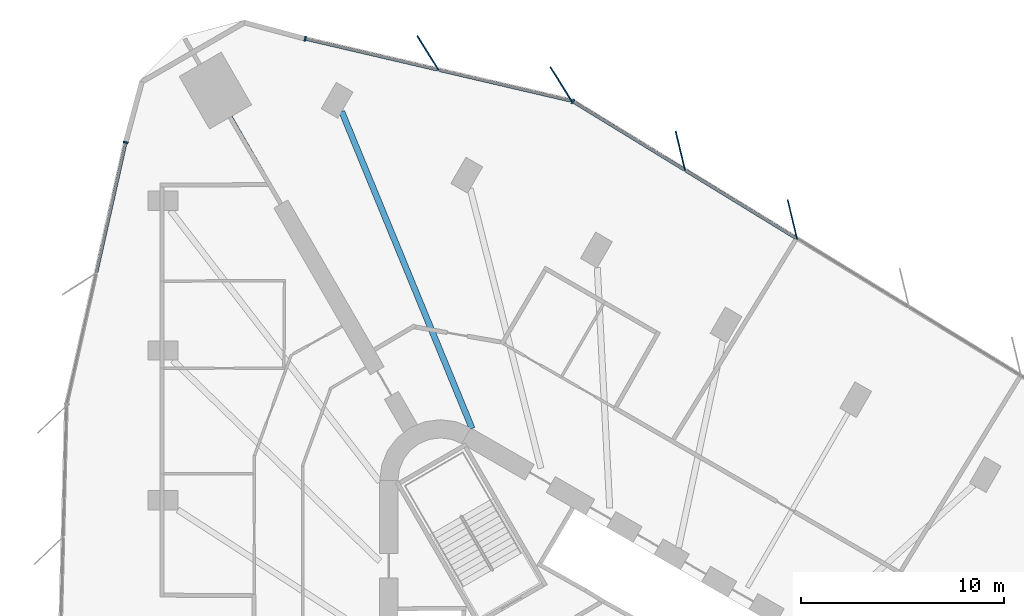
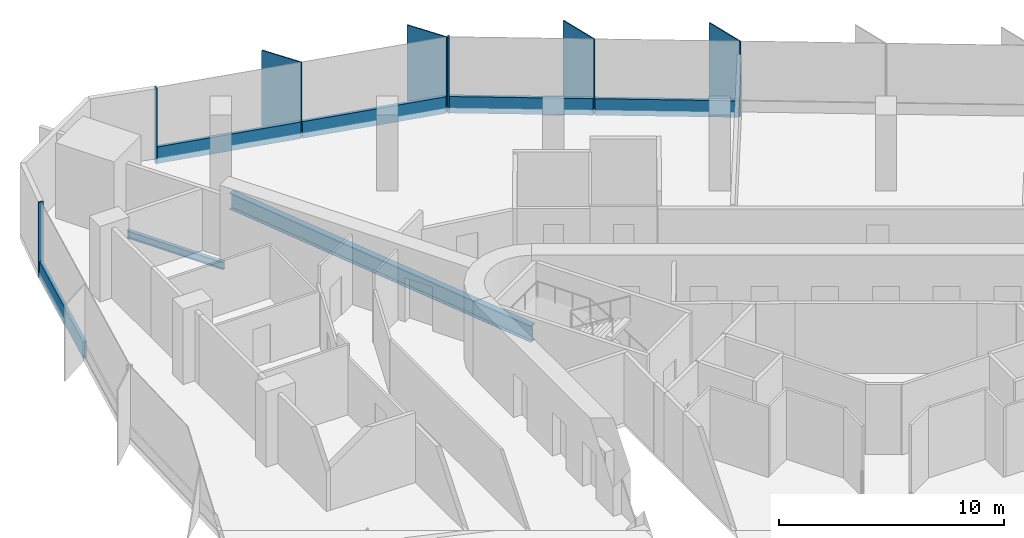
# One storey, part 7 of 14: 12 members, 2 beams, 3 elements without a shape of their own.
"""IFC4 building model written with IfcOpenShell, lengths in metres."""

from ifc_helpers import new_model, si_unit, direction, frame, origin, origin_2d, place, context, subcontext, project, spatial, rectangle, i_section, extrude, material, material_profile, profile_set, type_object, element, aggregate, save


model = new_model("IFC4")

# Units and contexts
model_context = context("Model", 3, precision=1e-05, world=origin(), true_north=direction((0.0, 1.0)))
body_context = subcontext(model_context, "Body", "Model", "MODEL_VIEW")
ifc_project = project(units=[si_unit("LENGTHUNIT", "METRE"), si_unit("AREAUNIT", "SQUARE_METRE"), si_unit("VOLUMEUNIT", "CUBIC_METRE"), si_unit("PLANEANGLEUNIT", "RADIAN"), si_unit("MASSUNIT", "GRAM", prefix="KILO")], contexts=[model_context])

# Site, building, storey
site_placement = place(None, origin())
site = spatial("IfcSite", under=ifc_project, at=site_placement, CompositionType="ELEMENT")
building_placement = place(site_placement, origin())
building = spatial("IfcBuilding", under=site, at=building_placement, Name="Tanit Gate Tower", CompositionType="ELEMENT")
storey_placement = place(building_placement, frame((0.0, 0.0, 127.5)))
storey = spatial("IfcBuildingStorey", under=building, at=storey_placement, Name="L27", CompositionType="ELEMENT", Elevation=127.5)

# Curtain wall, members
ifc_material_1 = material(Name="Aluminium bronze anodised and glass", Category="aluminium")
curtain_wall_type = type_object("IfcCurtainWallType", Name="Curtain wall typical low", PredefinedType="NOTDEFINED", material=ifc_material_1)
curtain_wall_1_placement = place(storey_placement, origin())
curtain_wall_1 = element("IfcCurtainWall", 1, at=curtain_wall_1_placement, inside=storey, type_object=curtain_wall_type, Name="Curtain wall L27 NE2", PredefinedType="NOTDEFINED")
ifc_material_2 = material(Name="Aluminium bronze anodised", Category="aluminium")
ifc_material_profile_1 = material_profile(ifc_material_2, rectangle(XDim=2.0, YDim=0.055908203125, at=origin_2d()), Name="56x2000 bronze fin mullion")
ifc_profile_set_1 = profile_set([ifc_material_profile_1], Name="Aluminium bronze anodised")
member_type_1 = type_object("IfcMemberType", Name="FIN MULLION 56x2000 bronze", PredefinedType="MULLION", material=ifc_profile_set_1)
member_1_placement = place(storey_placement, frame((8.274169921875, 28.646484375, -0.300048828125), z_axis=(0.0, 0.0, 1.0), x_axis=(0.23355666729, -0.97234319207, 0.0)))
member_1 = element("IfcMember", 2, at=member_1_placement, type_object=member_type_1, Name="Fin mullion L27 NE2.5", PredefinedType="MULLION", context=body_context, shape_type="SweptSolid", body=[
    extrude(rectangle(XDim=2.0, YDim=0.055908203125, at=origin_2d()), origin(), (0.0, 0.0, 1.0), 4.10009765625),
])
member_2_placement = place(storey_placement, frame((2.7421875, 32.03564453125, -0.300048828125), z_axis=(0.0, 0.0, 1.0), x_axis=(0.23355666729, -0.97234319207, 0.0)))
member_2 = element("IfcMember", 3, at=member_2_placement, type_object=member_type_1, Name="Fin mullion L27 NE2.6", PredefinedType="MULLION", context=body_context, shape_type="SweptSolid", body=[
    extrude(rectangle(XDim=2.0, YDim=0.055908203125, at=origin_2d()), origin(), (0.0, 0.0, 1.0), 4.10009765625),
])

curtain_wall_2_placement = place(storey_placement, origin())
curtain_wall_2 = element("IfcCurtainWall", 4, at=curtain_wall_2_placement, inside=storey, type_object=curtain_wall_type, Name="Curtain wall L27 NE3", PredefinedType="NOTDEFINED")
member_3_placement = place(storey_placement, frame((-3.15087890625, 35.334228515625, -0.300048828125), z_axis=(0.0, 0.0, 1.0), x_axis=(0.528085925878, -0.849190941361, 0.0)))
member_3 = element("IfcMember", 5, at=member_3_placement, type_object=member_type_1, Name="Fin mullion L27 NE3.1", PredefinedType="MULLION", context=body_context, shape_type="SweptSolid", body=[
    extrude(rectangle(XDim=2.0, YDim=0.055908203125, at=origin_2d()), origin(), (0.0, 0.0, 1.0), 4.10009765625),
])
member_4_placement = place(storey_placement, frame((-9.722412109375, 36.866455078125, -0.300048828125), z_axis=(0.0, 0.0, 1.0), x_axis=(0.528085925878, -0.849190941361, 0.0)))
member_4 = element("IfcMember", 6, at=member_4_placement, type_object=member_type_1, Name="Fin mullion L27 NE3.2", PredefinedType="MULLION", context=body_context, shape_type="SweptSolid", body=[
    extrude(rectangle(XDim=2.0, YDim=0.055908203125, at=origin_2d()), origin(), (0.0, 0.0, 1.0), 4.10009765625),
])

# Member
ifc_material_3 = material(Name="Aluminium bronze anodised", Category="aluminium")
ifc_material_profile_2 = material_profile(ifc_material_3, rectangle(XDim=0.239990234375, YDim=0.080078125, at=origin_2d()), Name="80x240 bronze mullion")
ifc_profile_set_2 = profile_set([ifc_material_profile_2], Name="Aluminium bronze anodised")
member_type_2 = type_object("IfcMemberType", Name="Mullion 80x240 typical low", PredefinedType="MULLION", material=ifc_profile_set_2)
member_5_placement = place(storey_placement, frame((-2.5615234375, 34.474365234375, -0.300048828125), z_axis=(0.0, 0.0, 1.0), x_axis=(-0.522400961521, -0.852699967985, 0.0)))
member_5 = element("IfcMember", 7, at=member_5_placement, type_object=member_type_2, Name="Mullion L27 NE2.7", PredefinedType="MULLION", context=body_context, shape_type="SweptSolid", body=[
    extrude(rectangle(XDim=0.239990234375, YDim=0.080078125, at=origin_2d()), origin(), (0.0, 0.0, 1.0), 4.10009765625),
])

member_6_placement = place(storey_placement, frame((-15.778076171875, 37.568603515625, -0.300048828125), z_axis=(0.0, 0.0, 1.0), x_axis=(-0.227055533921, -0.973881812396, 0.0)))
member_6 = element("IfcMember", 8, at=member_6_placement, type_object=member_type_2, Name="Mullion L27 NE3.3", PredefinedType="MULLION", context=body_context, shape_type="SweptSolid", body=[
    extrude(rectangle(XDim=0.239990234375, YDim=0.080078125, at=origin_2d()), origin(), (0.0, 0.0, 1.0), 4.10009765625),
])

# Curtain wall, member
curtain_wall_3_placement = place(storey_placement, origin())
curtain_wall_3 = element("IfcCurtainWall", 9, at=curtain_wall_3_placement, inside=storey, type_object=curtain_wall_type, Name="Curtain wall L27 W1", PredefinedType="NOTDEFINED")
member_7_placement = place(storey_placement, frame((-24.642333984375, 32.451904296875, -0.300048828125), z_axis=(0.0, 0.0, 1.0), x_axis=(0.975577194321, -0.21965686404, 0.0)))
member_7 = element("IfcMember", 10, at=member_7_placement, type_object=member_type_2, Name="Mullion L27 W1.1", PredefinedType="MULLION", context=body_context, shape_type="SweptSolid", body=[
    extrude(rectangle(XDim=0.239990234375, YDim=0.080078125, at=origin_2d()), origin(), (0.0, 0.0, 1.0), 4.10009765625),
])

# Beams
ifc_material_4 = material(Name="Steel S355", Category="steel")
ifc_material_profile_3 = material_profile(ifc_material_4, i_section(OverallWidth=0.300048828125, OverallDepth=0.889892578125, WebThickness=0.01611328125, FlangeThickness=0.030029296875, FilletRadius=0.030029296875, at=origin_2d()), Name="HEA 900")
ifc_profile_set_3 = profile_set([ifc_material_profile_3], Name="Steel S355")
beam_type_1 = type_object("IfcBeamType", Name="RADIAL GIRDER HEA 900 S355", PredefinedType="BEAM", material=ifc_profile_set_3)
beam_1_placement = place(storey_placement, frame((-13.976318359375, 33.9736328125, -0.7451171875), z_axis=(0.380451490729, -0.924800877596, 0.0), x_axis=(0.924800877596, 0.380451490729, 0.0)))
element("IfcBeam", 11, at=beam_1_placement, inside=storey, type_object=beam_type_1, Name="RADIAL GIRDER", PredefinedType="BEAM", context=body_context, shape_type="SweptSolid", body=[
    extrude(i_section(OverallWidth=0.300048828125, OverallDepth=0.889892578125, WebThickness=0.01611328125, FlangeThickness=0.030029296875, FilletRadius=0.030029296875, at=origin_2d()), origin(), (0.0, 0.0, 1.0), 16.918701171875),
])
ifc_material_5 = material(Name="Steel S355", Category="steel")
ifc_material_profile_4 = material_profile(ifc_material_5, i_section(OverallWidth=0.179931640625, OverallDepth=0.39990234375, WebThickness=0.008544921875, FlangeThickness=0.013427734375, FilletRadius=0.02099609375, at=origin_2d()), Name="IPE 400")
ifc_profile_set_4 = profile_set([ifc_material_profile_4], Name="Steel S355")
beam_type_2 = type_object("IfcBeamType", Name="RADIAL GIRDER IPE 400 S355", PredefinedType="BEAM", material=ifc_profile_set_4)
beam_2_placement = place(storey_placement, frame((-19.462646484375, 33.71044921875, -0.5), z_axis=(0.499969421594, -0.866043057515, 0.0), x_axis=(0.866043057515, 0.499969421594, 0.0)))
element("IfcBeam", 12, at=beam_2_placement, inside=storey, type_object=beam_type_2, Name="RADIAL GIRDER", PredefinedType="BEAM", context=body_context, shape_type="SweptSolid", body=[
    extrude(i_section(OverallWidth=0.179931640625, OverallDepth=0.39990234375, WebThickness=0.008544921875, FlangeThickness=0.013427734375, FilletRadius=0.02099609375, at=origin_2d()), origin(), (0.0, 0.0, 1.0), 4.963134765625),
])

# Member
ifc_material_6 = material(Name="Aluminium bronze anodised", Category="aluminium")
ifc_material_profile_5 = material_profile(ifc_material_6, rectangle(XDim=0.159912109375, YDim=0.89990234375, at=origin_2d()), Name="160x900 bronze transom")
ifc_profile_set_5 = profile_set([ifc_material_profile_5], Name="Aluminium bronze anodised")
member_type_3 = type_object("IfcMemberType", Name="Transom 160x900 typical low", PredefinedType="USERDEFINED", material=ifc_profile_set_5)
member_8_placement = place(storey_placement, frame((8.46826171875, 27.717041015625, 0.14990234375), z_axis=(-0.852705831089, 0.522391391225, 0.0), x_axis=(-0.522391391225, -0.852705831089, 0.0)))
member_8 = element("IfcMember", 13, at=member_8_placement, type_object=member_type_3, Name="Transom L27 NE2.5", ObjectType="TRANSOM", PredefinedType="USERDEFINED", context=body_context, shape_type="SweptSolid", body=[
    extrude(rectangle(XDim=0.159912109375, YDim=0.89990234375, at=origin_2d()), origin(), (0.0, 0.0, 1.0), 6.407470703125),
])

member_9_placement = place(storey_placement, frame((2.936279296875, 31.106201171875, 0.14990234375), z_axis=(-0.852705831089, 0.522391391225, 0.0), x_axis=(-0.522391391225, -0.852705831089, 0.0)))
member_9 = element("IfcMember", 14, at=member_9_placement, type_object=member_type_3, Name="Transom L27 NE2.6", ObjectType="TRANSOM", PredefinedType="USERDEFINED", context=body_context, shape_type="SweptSolid", body=[
    extrude(rectangle(XDim=0.159912109375, YDim=0.89990234375, at=origin_2d()), origin(), (0.0, 0.0, 1.0), 6.407470703125),
])

aggregate(curtain_wall_1, [member_1, member_2, member_5, member_8, member_9])

member_10_placement = place(storey_placement, frame((-2.673583984375, 34.513427734375, 0.14990234375), z_axis=(-0.973883325225, 0.22704904503, 0.0), x_axis=(-0.22704904503, -0.973883325225, 0.0)))
member_10 = element("IfcMember", 15, at=member_10_placement, type_object=member_type_3, Name="Transom L27 NE3.1", ObjectType="TRANSOM", PredefinedType="USERDEFINED", context=body_context, shape_type="SweptSolid", body=[
    extrude(rectangle(XDim=0.159912109375, YDim=0.89990234375, at=origin_2d()), origin(), (0.0, 0.0, 1.0), 6.667724609375),
])

member_11_placement = place(storey_placement, frame((-9.245361328125, 36.045654296875, 0.14990234375), z_axis=(-0.973883325225, 0.22704904503, 0.0), x_axis=(-0.22704904503, -0.973883325225, 0.0)))
member_11 = element("IfcMember", 16, at=member_11_placement, type_object=member_type_3, Name="Transom L27 NE3.2", ObjectType="TRANSOM", PredefinedType="USERDEFINED", context=body_context, shape_type="SweptSolid", body=[
    extrude(rectangle(XDim=0.159912109375, YDim=0.89990234375, at=origin_2d()), origin(), (0.0, 0.0, 1.0), 6.667724609375),
])

aggregate(curtain_wall_2, [member_3, member_4, member_6, member_10, member_11])

member_12_placement = place(storey_placement, frame((-24.651123046875, 32.412841796875, 0.14990234375), z_axis=(-0.219664987345, -0.975575365277, 0.0), x_axis=(0.975575365277, -0.219664987345, 0.0)))
member_12 = element("IfcMember", 17, at=member_12_placement, type_object=member_type_3, Name="Transom L27 W1.1", ObjectType="TRANSOM", PredefinedType="USERDEFINED", context=body_context, shape_type="SweptSolid", body=[
    extrude(rectangle(XDim=0.159912109375, YDim=0.89990234375, at=origin_2d()), origin(), (0.0, 0.0, 1.0), 6.53955078125),
])

aggregate(curtain_wall_3, [member_7, member_12])

save(model, "model.ifc")
